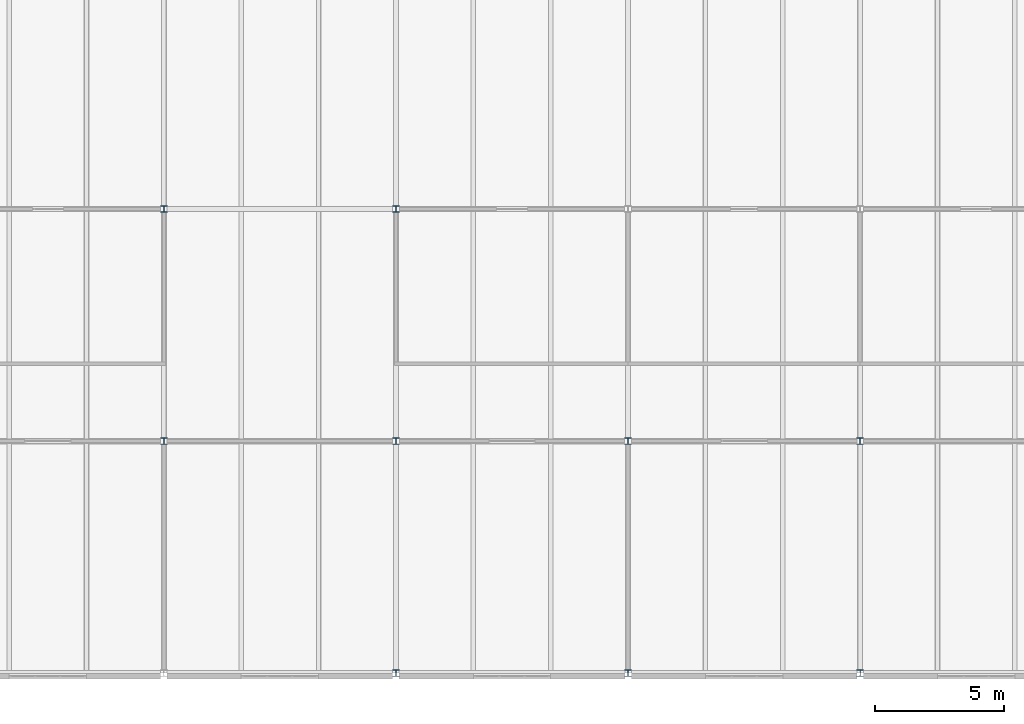
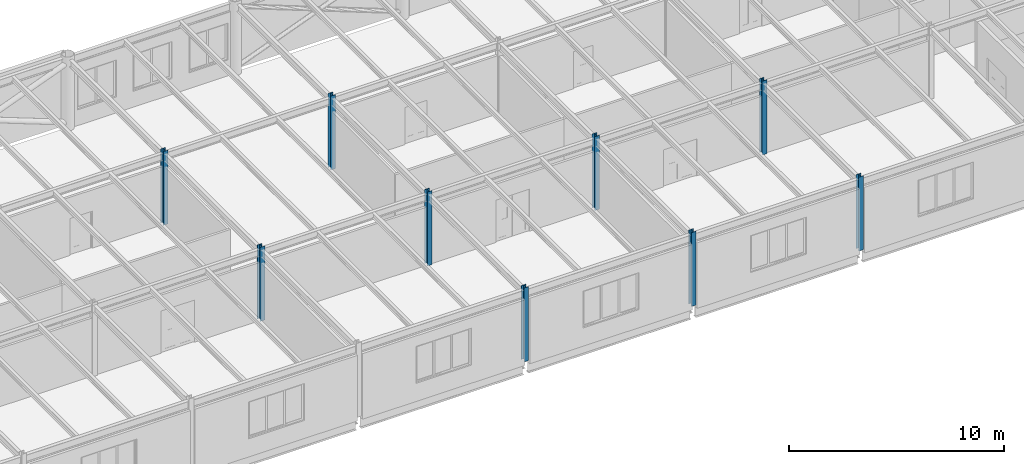
# One storey, part 3 of 123: 9 columns.
"""IFC4 building model written with IfcOpenShell, lengths in metres."""

from ifc_helpers import new_model, si_unit, direction, frame, origin, origin_2d, place, context, subcontext, project, spatial, i_section, extrude, material, material_profile, profile_set, type_object, element, save


model = new_model("IFC4")

# Units and contexts
model_context = context("Model", 3, precision=1e-05, world=origin(), true_north=direction((0.0, 1.0)))
body_context = subcontext(model_context, "Body", "Model", "MODEL_VIEW")
ifc_project = project(units=[si_unit("LENGTHUNIT", "METRE"), si_unit("AREAUNIT", "SQUARE_METRE"), si_unit("VOLUMEUNIT", "CUBIC_METRE"), si_unit("PLANEANGLEUNIT", "RADIAN"), si_unit("MASSUNIT", "GRAM", prefix="KILO")], contexts=[model_context])

# Site, building, storey
site_placement = place(None, origin())
site = spatial("IfcSite", under=ifc_project, at=site_placement, CompositionType="ELEMENT")
building_placement = place(site_placement, origin())
building = spatial("IfcBuilding", under=site, at=building_placement, Name="Baradari Gate Terminus", CompositionType="ELEMENT")
storey_placement = place(building_placement, frame((0.0, 0.0, 7.5)))
storey = spatial("IfcBuildingStorey", under=building, at=storey_placement, Name="L01", CompositionType="ELEMENT", Elevation=7.5)

# Columns
ifc_material_1 = material(Name="Steel S355", Category="steel")
ifc_material_profile_1 = material_profile(ifc_material_1, i_section(OverallWidth=0.25634765625, OverallDepth=0.26025390625, WebThickness=0.01025390625, FlangeThickness=0.017333984375, FilletRadius=0.0126953125, at=origin_2d()), Name="UC 254x254x89")
ifc_profile_set_1 = profile_set([ifc_material_profile_1], Name="Steel S355")
column_type_1 = type_object("IfcColumnType", Name="South wing column C04 UC 254x254x89", PredefinedType="COLUMN", material=ifc_profile_set_1)
for number, where, z_axis, x_axis, name in (
    (1, (108.0, 18.0, 0.0), (0.0, 0.0, 1.0), (1.0, 0.0, 0.0), "C04 column 13-C L01"),
    (2, (108.0, 27.0, 0.0), (0.0, 0.0, 1.0), (1.0, 0.0, 0.0), "C04 column 13-D L01"),
    (3, (117.0, 18.0, 0.0), (0.0, 0.0, 1.0), (1.0, 0.0, 0.0), "C04 column 14-C L01"),
    (4, (117.0, 27.0, 0.0), (0.0, 0.0, 1.0), (1.0, 0.0, 0.0), "C04 column 14-D L01"),
    (5, (126.0, 18.0, 0.0), (0.0, 0.0, 1.0), (1.0, 0.0, 0.0), "C04 column 15-C L01"),
    (6, (135.0, 18.0, 0.0), (0.0, 0.0, 1.0), (1.0, 0.0, 0.0), "C04 column 16-C L01"),
):
    element("IfcColumn", number, at=place(storey_placement, frame(where, z_axis=z_axis, x_axis=x_axis)), inside=storey, type_object=column_type_1, Name=name, PredefinedType="COLUMN", context=body_context, shape_type="SweptSolid", body=[
        extrude(i_section(OverallWidth=0.25634765625, OverallDepth=0.26025390625, WebThickness=0.01025390625, FlangeThickness=0.017333984375, FilletRadius=0.0126953125, at=origin_2d()), origin(), (0.0, 0.0, 1.0), 4.199951171875),
    ])
ifc_material_2 = material(Name="Steel S355", Category="steel")
ifc_material_profile_2 = material_profile(ifc_material_2, i_section(OverallWidth=0.254638671875, OverallDepth=0.254150390625, WebThickness=0.008544921875, FlangeThickness=0.01416015625, FilletRadius=0.0126953125, at=origin_2d()), Name="UC 254x254x73")
ifc_profile_set_2 = profile_set([ifc_material_profile_2], Name="Steel S355")
column_type_2 = type_object("IfcColumnType", Name="South wing facade column C03 UC 254x254x73", PredefinedType="COLUMN", material=ifc_profile_set_2)
for number, where, z_axis, x_axis, name in (
    (7, (117.0, 9.0, 0.0), (0.0, 0.0, 1.0), (1.0, 0.0, 0.0), "C03 column 14-B L01"),
    (8, (126.0, 9.0, 0.0), (0.0, 0.0, 1.0), (1.0, 0.0, 0.0), "C03 column 15-B L01"),
    (9, (135.0, 9.0, 0.0), (0.0, 0.0, 1.0), (1.0, 0.0, 0.0), "C03 column 16-B L01"),
):
    element("IfcColumn", number, at=place(storey_placement, frame(where, z_axis=z_axis, x_axis=x_axis)), inside=storey, type_object=column_type_2, Name=name, PredefinedType="COLUMN", context=body_context, shape_type="SweptSolid", body=[
        extrude(i_section(OverallWidth=0.254638671875, OverallDepth=0.254150390625, WebThickness=0.008544921875, FlangeThickness=0.01416015625, FilletRadius=0.0126953125, at=origin_2d()), origin(), (0.0, 0.0, 1.0), 4.199951171875),
    ])

save(model, "model.ifc")
